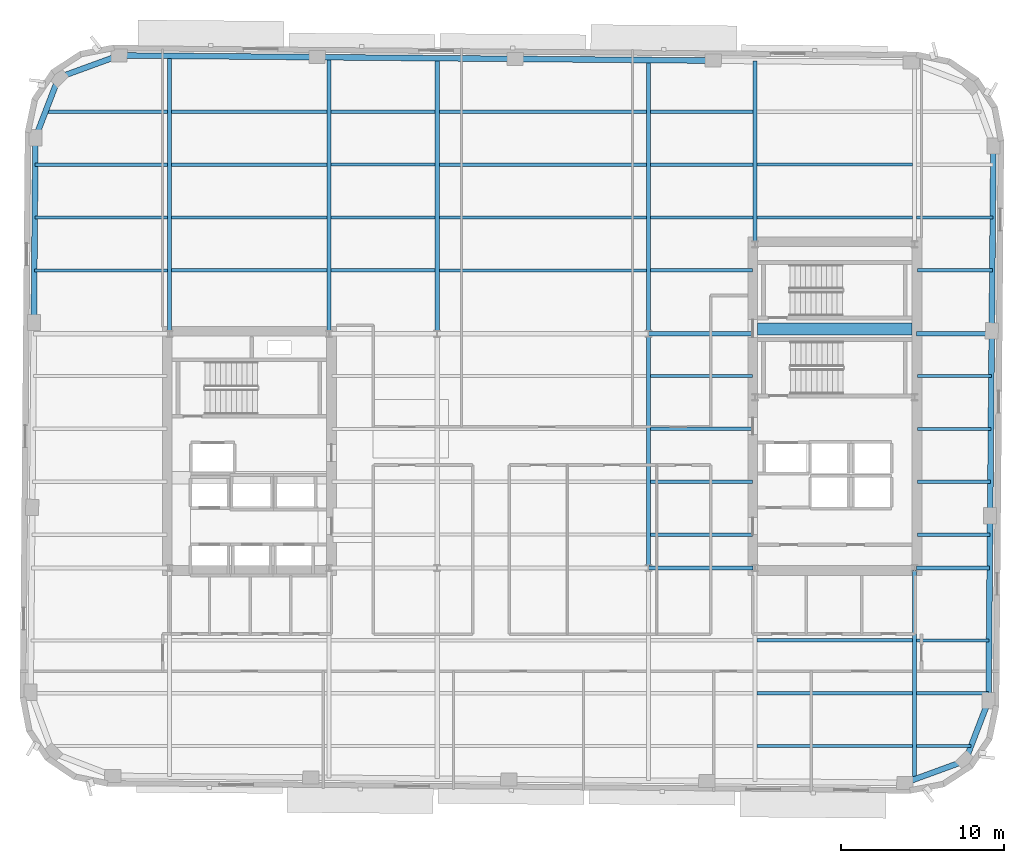
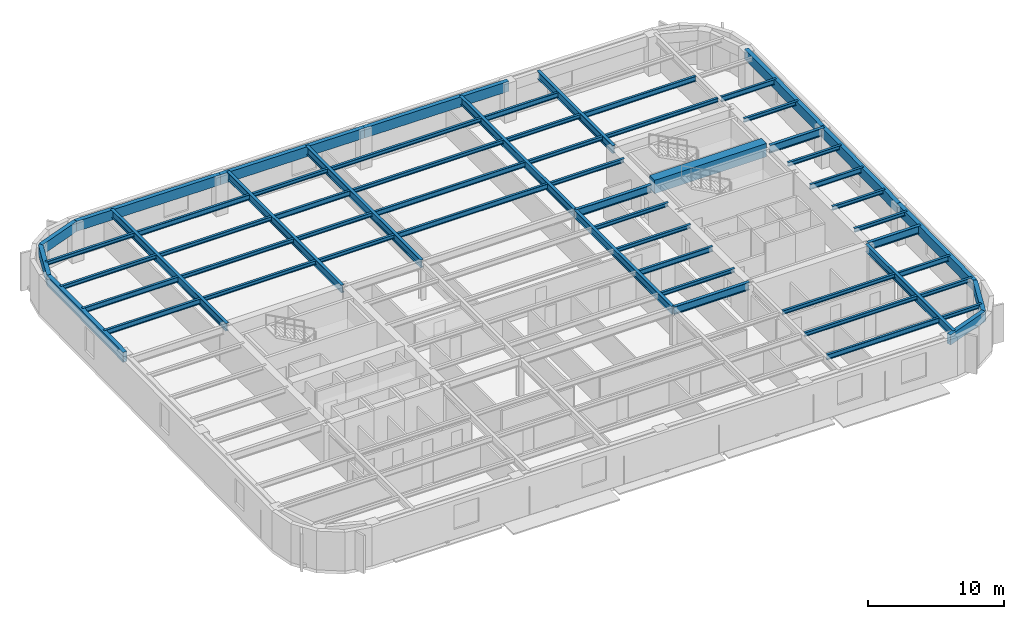
# One storey, part 2 of 12: 61 beams.
"""IFC4 building model written with IfcOpenShell, lengths in metres."""

from ifc_helpers import new_model, si_unit, direction, frame, origin, origin_2d, place, context, subcontext, project, spatial, rectangle, hollow_rectangle, i_section, extrude, material, material_profile, profile_set, type_object, element, save


model = new_model("IFC4")

# Units and contexts
model_context = context("Model", 3, precision=1e-05, world=origin(), true_north=direction((0.0, 1.0)))
body_context = subcontext(model_context, "Body", "Model", "MODEL_VIEW")
ifc_project = project(units=[si_unit("LENGTHUNIT", "METRE"), si_unit("AREAUNIT", "SQUARE_METRE"), si_unit("VOLUMEUNIT", "CUBIC_METRE"), si_unit("PLANEANGLEUNIT", "RADIAN"), si_unit("MASSUNIT", "GRAM", prefix="KILO")], contexts=[model_context])

# Site, building, storey
site_placement = place(None, origin())
site = spatial("IfcSite", under=ifc_project, at=site_placement, CompositionType="ELEMENT")
building_placement = place(site_placement, origin())
building = spatial("IfcBuilding", under=site, at=building_placement, Name="Kolvaren Arena Tower", CompositionType="ELEMENT")
storey_placement = place(building_placement, frame((0.0, 0.0, 199.699951171875)))
storey = spatial("IfcBuildingStorey", under=building, at=storey_placement, Name="L48", CompositionType="ELEMENT", Elevation=199.699951171875)

# Beams
ifc_material_1 = material(Name="Steel CSA G40.21 350W", Category="steel")
ifc_material_profile_1 = material_profile(ifc_material_1, i_section(OverallWidth=0.193115234375, OverallDepth=0.462890625, WebThickness=0.0107421875, FlangeThickness=0.0205078125, FilletRadius=0.012939453125, at=origin_2d()), Name="W460x113")
ifc_profile_set_1 = profile_set([ifc_material_profile_1], Name="Steel CSA G40.21 350W")
beam_type_1 = type_object("IfcBeamType", Name="BEAM-F2", PredefinedType="BEAM", material=ifc_profile_set_1)
beam_1_placement = place(storey_placement, frame((50.677490234375, 8.5, 3.24853515625), z_axis=(1.0, 0.0, 0.0), x_axis=(0.0, 1.0, 0.0)))
element("IfcBeam", 1, at=beam_1_placement, inside=storey, type_object=beam_type_1, Name="Composite Floor Beam (L48)", PredefinedType="BEAM", context=body_context, shape_type="SweptSolid", body=[
    extrude(i_section(OverallWidth=0.193115234375, OverallDepth=0.462890625, WebThickness=0.0107421875, FlangeThickness=0.0205078125, FilletRadius=0.012939453125, at=origin_2d()), origin(), (0.0, 0.0, 1.0), 9.544921875),
])
beam_2_placement = place(storey_placement, frame((60.4775390625, 15.0, 3.24853515625), z_axis=(1.0, 0.0, 0.0), x_axis=(0.0, 1.0, 0.0)))
element("IfcBeam", 2, at=beam_2_placement, inside=storey, type_object=beam_type_1, Name="Composite Floor Beam (L48)", PredefinedType="BEAM", context=body_context, shape_type="SweptSolid", body=[
    extrude(i_section(OverallWidth=0.193115234375, OverallDepth=0.462890625, WebThickness=0.0107421875, FlangeThickness=0.0205078125, FilletRadius=0.012939453125, at=origin_2d()), origin(), (0.0, 0.0, 1.0), 4.454833984375),
])
beam_3_placement = place(storey_placement, frame((44.12744140625, 24.75, 3.24853515625), z_axis=(1.0, 0.0, 0.0), x_axis=(0.0, 1.0, 0.0)))
element("IfcBeam", 3, at=beam_3_placement, inside=storey, type_object=beam_type_1, Name="Composite Floor Beam (L48)", PredefinedType="BEAM", context=body_context, shape_type="SweptSolid", body=[
    extrude(i_section(OverallWidth=0.193115234375, OverallDepth=0.462890625, WebThickness=0.0107421875, FlangeThickness=0.0205078125, FilletRadius=0.012939453125, at=origin_2d()), origin(), (0.0, 0.0, 1.0), 6.25244140625),
])
beam_4_placement = place(storey_placement, frame((60.52001953125, 28.0, 3.24853515625), z_axis=(1.0, 0.0, 0.0), x_axis=(0.0, 1.0, 0.0)))
element("IfcBeam", 4, at=beam_4_placement, inside=storey, type_object=beam_type_1, Name="Composite Floor Beam (L48)", PredefinedType="BEAM", context=body_context, shape_type="SweptSolid", body=[
    extrude(i_section(OverallWidth=0.193115234375, OverallDepth=0.462890625, WebThickness=0.0107421875, FlangeThickness=0.0205078125, FilletRadius=0.012939453125, at=origin_2d()), origin(), (0.0, 0.0, 1.0), 4.52587890625),
])
beam_5_placement = place(storey_placement, frame((6.228759765625, 37.75, 3.24853515625), z_axis=(1.0, 0.0, 0.0), x_axis=(0.0, 1.0, 0.0)))
element("IfcBeam", 5, at=beam_5_placement, inside=storey, type_object=beam_type_1, Name="Composite Floor Beam (L48)", PredefinedType="BEAM", context=body_context, shape_type="SweptSolid", body=[
    extrude(i_section(OverallWidth=0.193115234375, OverallDepth=0.462890625, WebThickness=0.0107421875, FlangeThickness=0.0205078125, FilletRadius=0.012939453125, at=origin_2d()), origin(), (0.0, 0.0, 1.0), 8.19384765625),
])
beam_6_placement = place(storey_placement, frame((31.12744140625, 37.75, 3.24853515625), z_axis=(1.0, 0.0, 0.0), x_axis=(0.0, 1.0, 0.0)))
element("IfcBeam", 6, at=beam_6_placement, inside=storey, type_object=beam_type_1, Name="Composite Floor Beam (L48)", PredefinedType="BEAM", context=body_context, shape_type="SweptSolid", body=[
    extrude(i_section(OverallWidth=0.193115234375, OverallDepth=0.462890625, WebThickness=0.0107421875, FlangeThickness=0.0205078125, FilletRadius=0.012939453125, at=origin_2d()), origin(), (0.0, 0.0, 1.0), 12.7451171875),
])
beam_7_placement = place(storey_placement, frame((6.257080078125, 41.0, 3.24853515625), z_axis=(1.0, 0.0, 0.0), x_axis=(0.0, 1.0, 0.0)))
element("IfcBeam", 7, at=beam_7_placement, inside=storey, type_object=beam_type_1, Name="Composite Floor Beam (L48)", PredefinedType="BEAM", context=body_context, shape_type="SweptSolid", body=[
    extrude(i_section(OverallWidth=0.193115234375, OverallDepth=0.462890625, WebThickness=0.0107421875, FlangeThickness=0.0205078125, FilletRadius=0.012939453125, at=origin_2d()), origin(), (0.0, 0.0, 1.0), 8.16552734375),
])
beam_8_placement = place(storey_placement, frame((31.12744140625, 41.0, 3.24853515625), z_axis=(1.0, 0.0, 0.0), x_axis=(0.0, 1.0, 0.0)))
element("IfcBeam", 8, at=beam_8_placement, inside=storey, type_object=beam_type_1, Name="Composite Floor Beam (L48)", PredefinedType="BEAM", context=body_context, shape_type="SweptSolid", body=[
    extrude(i_section(OverallWidth=0.193115234375, OverallDepth=0.462890625, WebThickness=0.0107421875, FlangeThickness=0.0205078125, FilletRadius=0.012939453125, at=origin_2d()), origin(), (0.0, 0.0, 1.0), 12.7451171875),
])
beam_9_placement = place(storey_placement, frame((60.4775390625, 41.0, 3.24853515625), z_axis=(1.0, 0.0, 0.0), x_axis=(0.0, 1.0, 0.0)))
element("IfcBeam", 9, at=beam_9_placement, inside=storey, type_object=beam_type_1, Name="Composite Floor Beam (L48)", PredefinedType="BEAM", context=body_context, shape_type="SweptSolid", body=[
    extrude(i_section(OverallWidth=0.193115234375, OverallDepth=0.462890625, WebThickness=0.0107421875, FlangeThickness=0.0205078125, FilletRadius=0.012939453125, at=origin_2d()), origin(), (0.0, 0.0, 1.0), 4.681884765625),
])
beam_10_placement = place(storey_placement, frame((24.4775390625, 44.25, 3.24853515625), z_axis=(1.0, 0.0, 0.0), x_axis=(0.0, 1.0, 0.0)))
element("IfcBeam", 10, at=beam_10_placement, inside=storey, type_object=beam_type_1, Name="Composite Floor Beam (L48)", PredefinedType="BEAM", context=body_context, shape_type="SweptSolid", body=[
    extrude(i_section(OverallWidth=0.193115234375, OverallDepth=0.462890625, WebThickness=0.0107421875, FlangeThickness=0.0205078125, FilletRadius=0.012939453125, at=origin_2d()), origin(), (0.0, 0.0, 1.0), 6.39501953125),
])
for number, where, z_axis, x_axis, name in (
    (11, (50.677490234375, 44.25, 3.24853515625), (1.0, 0.0, 0.0), (0.0, 1.0, 0.0), "Composite Floor Beam (L48)"),
    (12, (14.677490234375, 47.5, 3.24853515625), (1.0, 0.0, 0.0), (0.0, 1.0, 0.0), "Composite Floor Beam (L48)"),
):
    element("IfcBeam", number, at=place(storey_placement, frame(where, z_axis=z_axis, x_axis=x_axis)), inside=storey, type_object=beam_type_1, Name=name, PredefinedType="BEAM", context=body_context, shape_type="SweptSolid", body=[
        extrude(i_section(OverallWidth=0.193115234375, OverallDepth=0.462890625, WebThickness=0.0107421875, FlangeThickness=0.0205078125, FilletRadius=0.012939453125, at=origin_2d()), origin(), (0.0, 0.0, 1.0), 9.544921875),
    ])
beam_11_placement = place(storey_placement, frame((44.12744140625, 47.5, 3.24853515625), z_axis=(1.0, 0.0, 0.0), x_axis=(0.0, 1.0, 0.0)))
element("IfcBeam", 13, at=beam_11_placement, inside=storey, type_object=beam_type_1, Name="Composite Floor Beam (L48)", PredefinedType="BEAM", context=body_context, shape_type="SweptSolid", body=[
    extrude(i_section(OverallWidth=0.193115234375, OverallDepth=0.462890625, WebThickness=0.0107421875, FlangeThickness=0.0205078125, FilletRadius=0.012939453125, at=origin_2d()), origin(), (0.0, 0.0, 1.0), 6.295166015625),
])
ifc_material_2 = material(Name="Concrete 60 MPa", Category="concrete")
ifc_material_profile_2 = material_profile(ifc_material_2, rectangle(XDim=0.75, YDim=1.199951171875, at=origin_2d()), Name="RC-750x1200")
ifc_profile_set_2 = profile_set([ifc_material_profile_2], Name="Concrete 60 MPa")
beam_type_2 = type_object("IfcBeamType", Name="CB-CORE-2", PredefinedType="BEAM", material=ifc_profile_set_2)
beam_12_placement = place(storey_placement, frame((50.699951171875, 34.14990234375, 3.150146484375), z_axis=(1.0, 0.0, 0.0), x_axis=(0.0, 1.0, 0.0)))
element("IfcBeam", 14, at=beam_12_placement, inside=storey, type_object=beam_type_2, Name="East Core Coupling Beam (L48)", PredefinedType="BEAM", context=body_context, shape_type="SweptSolid", body=[
    extrude(rectangle(XDim=0.75, YDim=1.199951171875, at=origin_2d()), origin(), (0.0, 0.0, 1.0), 9.5),
])
ifc_material_profile_3 = material_profile(ifc_material_1, i_section(OverallWidth=0.2548828125, OverallDepth=0.695068359375, WebThickness=0.01708984375, FlangeThickness=0.02978515625, FilletRadius=0.01611328125, at=origin_2d()), Name="W690x217")
ifc_profile_set_3 = profile_set([ifc_material_profile_3], Name="Steel CSA G40.21 350W")
beam_type_3 = type_object("IfcBeamType", Name="GIRD-T2", PredefinedType="BEAM", material=ifc_profile_set_3)
beam_13_placement = place(storey_placement, frame((44.0, 19.449951171875, 3.132568359375), z_axis=(1.0, 0.0, 0.0), x_axis=(0.0, 1.0, 0.0)))
element("IfcBeam", 15, at=beam_13_placement, inside=storey, type_object=beam_type_3, Name="Primary Floor Girder (L48)", PredefinedType="BEAM", context=body_context, shape_type="SweptSolid", body=[
    extrude(i_section(OverallWidth=0.2548828125, OverallDepth=0.695068359375, WebThickness=0.01708984375, FlangeThickness=0.02978515625, FilletRadius=0.01611328125, at=origin_2d()), origin(), (0.0, 0.0, 1.0), 6.419921875),
])
beam_14_placement = place(storey_placement, frame((60.47998046875, 19.449951171875, 3.132568359375), z_axis=(1.0, 0.0, 0.0), x_axis=(0.0, 1.0, 0.0)))
element("IfcBeam", 16, at=beam_14_placement, inside=storey, type_object=beam_type_3, Name="Primary Floor Girder (L48)", PredefinedType="BEAM", context=body_context, shape_type="SweptSolid", body=[
    extrude(i_section(OverallWidth=0.2548828125, OverallDepth=0.695068359375, WebThickness=0.01708984375, FlangeThickness=0.02978515625, FilletRadius=0.01611328125, at=origin_2d()), origin(), (0.0, 0.0, 1.0), 4.4912109375),
])
beam_15_placement = place(storey_placement, frame((44.0, 33.85009765625, 3.132568359375), z_axis=(1.0, 0.0, 0.0), x_axis=(0.0, 1.0, 0.0)))
element("IfcBeam", 17, at=beam_15_placement, inside=storey, type_object=beam_type_3, Name="Primary Floor Girder (L48)", PredefinedType="BEAM", context=body_context, shape_type="SweptSolid", body=[
    extrude(i_section(OverallWidth=0.2548828125, OverallDepth=0.695068359375, WebThickness=0.01708984375, FlangeThickness=0.02978515625, FilletRadius=0.01611328125, at=origin_2d()), origin(), (0.0, 0.0, 1.0), 6.419921875),
])
beam_16_placement = place(storey_placement, frame((60.47998046875, 33.85009765625, 3.132568359375), z_axis=(1.0, 0.0, 0.0), x_axis=(0.0, 1.0, 0.0)))
element("IfcBeam", 18, at=beam_16_placement, inside=storey, type_object=beam_type_3, Name="Primary Floor Girder (L48)", PredefinedType="BEAM", context=body_context, shape_type="SweptSolid", body=[
    extrude(i_section(OverallWidth=0.2548828125, OverallDepth=0.695068359375, WebThickness=0.01708984375, FlangeThickness=0.02978515625, FilletRadius=0.01611328125, at=origin_2d()), origin(), (0.0, 0.0, 1.0), 4.616943359375),
])
beam_17_placement = place(storey_placement, frame((14.550048828125, 33.97998046875, 3.132568359375), z_axis=(0.0, 1.0, 0.0), x_axis=(-1.0, 0.0, 0.0)))
element("IfcBeam", 19, at=beam_17_placement, inside=storey, type_object=beam_type_3, Name="Primary Floor Girder (L48)", PredefinedType="BEAM", context=body_context, shape_type="SweptSolid", body=[
    extrude(i_section(OverallWidth=0.2548828125, OverallDepth=0.695068359375, WebThickness=0.01708984375, FlangeThickness=0.02978515625, FilletRadius=0.01611328125, at=origin_2d()), origin(), (0.0, 0.0, 1.0), 16.95458984375),
])
beam_18_placement = place(storey_placement, frame((24.35009765625, 33.97998046875, 3.132568359375), z_axis=(0.0, 1.0, 0.0), x_axis=(-1.0, 0.0, 0.0)))
element("IfcBeam", 20, at=beam_18_placement, inside=storey, type_object=beam_type_3, Name="Primary Floor Girder (L48)", PredefinedType="BEAM", context=body_context, shape_type="SweptSolid", body=[
    extrude(i_section(OverallWidth=0.2548828125, OverallDepth=0.695068359375, WebThickness=0.01708984375, FlangeThickness=0.02978515625, FilletRadius=0.01611328125, at=origin_2d()), origin(), (0.0, 0.0, 1.0), 16.869140625),
])
beam_19_placement = place(storey_placement, frame((31.0, 33.85009765625, 3.132568359375), z_axis=(0.0, 1.0, 0.0), x_axis=(-1.0, 0.0, 0.0)))
element("IfcBeam", 21, at=beam_19_placement, inside=storey, type_object=beam_type_3, Name="Primary Floor Girder (L48)", PredefinedType="BEAM", context=body_context, shape_type="SweptSolid", body=[
    extrude(i_section(OverallWidth=0.2548828125, OverallDepth=0.695068359375, WebThickness=0.01708984375, FlangeThickness=0.02978515625, FilletRadius=0.01611328125, at=origin_2d()), origin(), (0.0, 0.0, 1.0), 16.94091796875),
])
beam_20_placement = place(storey_placement, frame((44.0, 19.449951171875, 3.132568359375), z_axis=(0.0, 1.0, 0.0), x_axis=(-1.0, 0.0, 0.0)))
element("IfcBeam", 22, at=beam_20_placement, inside=storey, type_object=beam_type_3, Name="Primary Floor Girder (L48)", PredefinedType="BEAM", context=body_context, shape_type="SweptSolid", body=[
    extrude(i_section(OverallWidth=0.2548828125, OverallDepth=0.695068359375, WebThickness=0.01708984375, FlangeThickness=0.02978515625, FilletRadius=0.01611328125, at=origin_2d()), origin(), (0.0, 0.0, 1.0), 14.400146484375),
])
beam_21_placement = place(storey_placement, frame((44.0, 33.85009765625, 3.132568359375), z_axis=(0.0, 1.0, 0.0), x_axis=(-1.0, 0.0, 0.0)))
element("IfcBeam", 23, at=beam_21_placement, inside=storey, type_object=beam_type_3, Name="Primary Floor Girder (L48)", PredefinedType="BEAM", context=body_context, shape_type="SweptSolid", body=[
    extrude(i_section(OverallWidth=0.2548828125, OverallDepth=0.695068359375, WebThickness=0.01708984375, FlangeThickness=0.02978515625, FilletRadius=0.01611328125, at=origin_2d()), origin(), (0.0, 0.0, 1.0), 16.827392578125),
])
beam_22_placement = place(storey_placement, frame((50.550048828125, 39.47998046875, 3.132568359375), z_axis=(0.0, 1.0, 0.0), x_axis=(-1.0, 0.0, 0.0)))
element("IfcBeam", 24, at=beam_22_placement, inside=storey, type_object=beam_type_3, Name="Primary Floor Girder (L48)", PredefinedType="BEAM", context=body_context, shape_type="SweptSolid", body=[
    extrude(i_section(OverallWidth=0.2548828125, OverallDepth=0.695068359375, WebThickness=0.01708984375, FlangeThickness=0.02978515625, FilletRadius=0.01611328125, at=origin_2d()), origin(), (0.0, 0.0, 1.0), 11.140380859375),
])
beam_23_placement = place(storey_placement, frame((60.35009765625, 6.455322265625, 3.132568359375), z_axis=(0.0, 1.0, 0.0), x_axis=(-1.0, 0.0, 0.0)))
element("IfcBeam", 25, at=beam_23_placement, inside=storey, type_object=beam_type_3, Name="Primary Floor Girder (L48)", PredefinedType="BEAM", context=body_context, shape_type="SweptSolid", body=[
    extrude(i_section(OverallWidth=0.2548828125, OverallDepth=0.695068359375, WebThickness=0.01708984375, FlangeThickness=0.02978515625, FilletRadius=0.01611328125, at=origin_2d()), origin(), (0.0, 0.0, 1.0), 12.86474609375),
])
ifc_material_profile_4 = material_profile(ifc_material_1, i_section(OverallWidth=0.202880859375, OverallDepth=0.346923828125, WebThickness=0.0078125, FlangeThickness=0.013427734375, FilletRadius=0.010986328125, at=origin_2d()), Name="W360x64")
ifc_profile_set_4 = profile_set([ifc_material_profile_4], Name="Steel CSA G40.21 350W")
beam_type_4 = type_object("IfcBeamType", Name="JOIST-01", PredefinedType="JOIST", material=ifc_profile_set_4)
beam_24_placement = place(storey_placement, frame((60.4775390625, 8.5, 3.306640625), z_axis=(1.0, 0.0, 0.0), x_axis=(0.0, 1.0, 0.0)))
element("IfcBeam", 26, at=beam_24_placement, inside=storey, type_object=beam_type_4, Name="Composite Floor Joist (L48)", PredefinedType="JOIST", context=body_context, shape_type="SweptSolid", body=[
    extrude(i_section(OverallWidth=0.202880859375, OverallDepth=0.346923828125, WebThickness=0.0078125, FlangeThickness=0.013427734375, FilletRadius=0.010986328125, at=origin_2d()), origin(), (0.0, 0.0, 1.0), 3.3466796875),
])
beam_25_placement = place(storey_placement, frame((50.677490234375, 11.75, 3.306640625), z_axis=(1.0, 0.0, 0.0), x_axis=(0.0, 1.0, 0.0)))
element("IfcBeam", 27, at=beam_25_placement, inside=storey, type_object=beam_type_4, Name="Composite Floor Joist (L48)", PredefinedType="JOIST", context=body_context, shape_type="SweptSolid", body=[
    extrude(i_section(OverallWidth=0.202880859375, OverallDepth=0.346923828125, WebThickness=0.0078125, FlangeThickness=0.013427734375, FilletRadius=0.010986328125, at=origin_2d()), origin(), (0.0, 0.0, 1.0), 9.544921875),
])
beam_26_placement = place(storey_placement, frame((60.4775390625, 11.75, 3.306640625), z_axis=(1.0, 0.0, 0.0), x_axis=(0.0, 1.0, 0.0)))
element("IfcBeam", 28, at=beam_26_placement, inside=storey, type_object=beam_type_4, Name="Composite Floor Joist (L48)", PredefinedType="JOIST", context=body_context, shape_type="SweptSolid", body=[
    extrude(i_section(OverallWidth=0.202880859375, OverallDepth=0.346923828125, WebThickness=0.0078125, FlangeThickness=0.013427734375, FilletRadius=0.010986328125, at=origin_2d()), origin(), (0.0, 0.0, 1.0), 4.426513671875),
])
beam_27_placement = place(storey_placement, frame((50.677490234375, 15.0, 3.306640625), z_axis=(1.0, 0.0, 0.0), x_axis=(0.0, 1.0, 0.0)))
element("IfcBeam", 29, at=beam_27_placement, inside=storey, type_object=beam_type_4, Name="Composite Floor Joist (L48)", PredefinedType="JOIST", context=body_context, shape_type="SweptSolid", body=[
    extrude(i_section(OverallWidth=0.202880859375, OverallDepth=0.346923828125, WebThickness=0.0078125, FlangeThickness=0.013427734375, FilletRadius=0.010986328125, at=origin_2d()), origin(), (0.0, 0.0, 1.0), 9.544921875),
])
beam_28_placement = place(storey_placement, frame((44.12744140625, 21.5, 3.306640625), z_axis=(1.0, 0.0, 0.0), x_axis=(0.0, 1.0, 0.0)))
element("IfcBeam", 30, at=beam_28_placement, inside=storey, type_object=beam_type_4, Name="Composite Floor Joist (L48)", PredefinedType="JOIST", context=body_context, shape_type="SweptSolid", body=[
    extrude(i_section(OverallWidth=0.202880859375, OverallDepth=0.346923828125, WebThickness=0.0078125, FlangeThickness=0.013427734375, FilletRadius=0.010986328125, at=origin_2d()), origin(), (0.0, 0.0, 1.0), 6.25244140625),
])
beam_29_placement = place(storey_placement, frame((60.52001953125, 21.5, 3.306640625), z_axis=(1.0, 0.0, 0.0), x_axis=(0.0, 1.0, 0.0)))
element("IfcBeam", 31, at=beam_29_placement, inside=storey, type_object=beam_type_4, Name="Composite Floor Joist (L48)", PredefinedType="JOIST", context=body_context, shape_type="SweptSolid", body=[
    extrude(i_section(OverallWidth=0.202880859375, OverallDepth=0.346923828125, WebThickness=0.0078125, FlangeThickness=0.013427734375, FilletRadius=0.010986328125, at=origin_2d()), origin(), (0.0, 0.0, 1.0), 4.46923828125),
])
beam_30_placement = place(storey_placement, frame((60.52001953125, 24.75, 3.306640625), z_axis=(1.0, 0.0, 0.0), x_axis=(0.0, 1.0, 0.0)))
element("IfcBeam", 32, at=beam_30_placement, inside=storey, type_object=beam_type_4, Name="Composite Floor Joist (L48)", PredefinedType="JOIST", context=body_context, shape_type="SweptSolid", body=[
    extrude(i_section(OverallWidth=0.202880859375, OverallDepth=0.346923828125, WebThickness=0.0078125, FlangeThickness=0.013427734375, FilletRadius=0.010986328125, at=origin_2d()), origin(), (0.0, 0.0, 1.0), 4.49755859375),
])
for number, where, z_axis, x_axis, name in (
    (33, (44.12744140625, 28.0, 3.306640625), (1.0, 0.0, 0.0), (0.0, 1.0, 0.0), "Composite Floor Joist (L48)"),
    (34, (44.12744140625, 31.25, 3.306640625), (1.0, 0.0, 0.0), (0.0, 1.0, 0.0), "Composite Floor Joist (L48)"),
):
    element("IfcBeam", number, at=place(storey_placement, frame(where, z_axis=z_axis, x_axis=x_axis)), inside=storey, type_object=beam_type_4, Name=name, PredefinedType="JOIST", context=body_context, shape_type="SweptSolid", body=[
        extrude(i_section(OverallWidth=0.202880859375, OverallDepth=0.346923828125, WebThickness=0.0078125, FlangeThickness=0.013427734375, FilletRadius=0.010986328125, at=origin_2d()), origin(), (0.0, 0.0, 1.0), 6.25244140625),
    ])
beam_31_placement = place(storey_placement, frame((60.52001953125, 31.25, 3.306640625), z_axis=(1.0, 0.0, 0.0), x_axis=(0.0, 1.0, 0.0)))
element("IfcBeam", 35, at=beam_31_placement, inside=storey, type_object=beam_type_4, Name="Composite Floor Joist (L48)", PredefinedType="JOIST", context=body_context, shape_type="SweptSolid", body=[
    extrude(i_section(OverallWidth=0.202880859375, OverallDepth=0.346923828125, WebThickness=0.0078125, FlangeThickness=0.013427734375, FilletRadius=0.010986328125, at=origin_2d()), origin(), (0.0, 0.0, 1.0), 4.55419921875),
])
beam_32_placement = place(storey_placement, frame((14.677490234375, 37.75, 3.306640625), z_axis=(1.0, 0.0, 0.0), x_axis=(0.0, 1.0, 0.0)))
element("IfcBeam", 36, at=beam_32_placement, inside=storey, type_object=beam_type_4, Name="Composite Floor Joist (L48)", PredefinedType="JOIST", context=body_context, shape_type="SweptSolid", body=[
    extrude(i_section(OverallWidth=0.202880859375, OverallDepth=0.346923828125, WebThickness=0.0078125, FlangeThickness=0.013427734375, FilletRadius=0.010986328125, at=origin_2d()), origin(), (0.0, 0.0, 1.0), 9.544921875),
])
beam_33_placement = place(storey_placement, frame((24.4775390625, 37.75, 3.306640625), z_axis=(1.0, 0.0, 0.0), x_axis=(0.0, 1.0, 0.0)))
element("IfcBeam", 37, at=beam_33_placement, inside=storey, type_object=beam_type_4, Name="Composite Floor Joist (L48)", PredefinedType="JOIST", context=body_context, shape_type="SweptSolid", body=[
    extrude(i_section(OverallWidth=0.202880859375, OverallDepth=0.346923828125, WebThickness=0.0078125, FlangeThickness=0.013427734375, FilletRadius=0.010986328125, at=origin_2d()), origin(), (0.0, 0.0, 1.0), 6.39501953125),
])
beam_34_placement = place(storey_placement, frame((44.12744140625, 37.75, 3.306640625), z_axis=(1.0, 0.0, 0.0), x_axis=(0.0, 1.0, 0.0)))
element("IfcBeam", 38, at=beam_34_placement, inside=storey, type_object=beam_type_4, Name="Composite Floor Joist (L48)", PredefinedType="JOIST", context=body_context, shape_type="SweptSolid", body=[
    extrude(i_section(OverallWidth=0.202880859375, OverallDepth=0.346923828125, WebThickness=0.0078125, FlangeThickness=0.013427734375, FilletRadius=0.010986328125, at=origin_2d()), origin(), (0.0, 0.0, 1.0), 6.25244140625),
])
beam_35_placement = place(storey_placement, frame((60.52001953125, 37.75, 3.306640625), z_axis=(1.0, 0.0, 0.0), x_axis=(0.0, 1.0, 0.0)))
element("IfcBeam", 39, at=beam_35_placement, inside=storey, type_object=beam_type_4, Name="Composite Floor Joist (L48)", PredefinedType="JOIST", context=body_context, shape_type="SweptSolid", body=[
    extrude(i_section(OverallWidth=0.202880859375, OverallDepth=0.346923828125, WebThickness=0.0078125, FlangeThickness=0.013427734375, FilletRadius=0.010986328125, at=origin_2d()), origin(), (0.0, 0.0, 1.0), 4.611083984375),
])
beam_36_placement = place(storey_placement, frame((14.677490234375, 41.0, 3.306640625), z_axis=(1.0, 0.0, 0.0), x_axis=(0.0, 1.0, 0.0)))
element("IfcBeam", 40, at=beam_36_placement, inside=storey, type_object=beam_type_4, Name="Composite Floor Joist (L48)", PredefinedType="JOIST", context=body_context, shape_type="SweptSolid", body=[
    extrude(i_section(OverallWidth=0.202880859375, OverallDepth=0.346923828125, WebThickness=0.0078125, FlangeThickness=0.013427734375, FilletRadius=0.010986328125, at=origin_2d()), origin(), (0.0, 0.0, 1.0), 9.544921875),
])
beam_37_placement = place(storey_placement, frame((24.4775390625, 41.0, 3.306640625), z_axis=(1.0, 0.0, 0.0), x_axis=(0.0, 1.0, 0.0)))
element("IfcBeam", 41, at=beam_37_placement, inside=storey, type_object=beam_type_4, Name="Composite Floor Joist (L48)", PredefinedType="JOIST", context=body_context, shape_type="SweptSolid", body=[
    extrude(i_section(OverallWidth=0.202880859375, OverallDepth=0.346923828125, WebThickness=0.0078125, FlangeThickness=0.013427734375, FilletRadius=0.010986328125, at=origin_2d()), origin(), (0.0, 0.0, 1.0), 6.39501953125),
])
beam_38_placement = place(storey_placement, frame((44.12744140625, 41.0, 3.306640625), z_axis=(1.0, 0.0, 0.0), x_axis=(0.0, 1.0, 0.0)))
element("IfcBeam", 42, at=beam_38_placement, inside=storey, type_object=beam_type_4, Name="Composite Floor Joist (L48)", PredefinedType="JOIST", context=body_context, shape_type="SweptSolid", body=[
    extrude(i_section(OverallWidth=0.202880859375, OverallDepth=0.346923828125, WebThickness=0.0078125, FlangeThickness=0.013427734375, FilletRadius=0.010986328125, at=origin_2d()), origin(), (0.0, 0.0, 1.0), 6.295166015625),
])
beam_39_placement = place(storey_placement, frame((50.677490234375, 41.0, 3.306640625), z_axis=(1.0, 0.0, 0.0), x_axis=(0.0, 1.0, 0.0)))
element("IfcBeam", 43, at=beam_39_placement, inside=storey, type_object=beam_type_4, Name="Composite Floor Joist (L48)", PredefinedType="JOIST", context=body_context, shape_type="SweptSolid", body=[
    extrude(i_section(OverallWidth=0.202880859375, OverallDepth=0.346923828125, WebThickness=0.0078125, FlangeThickness=0.013427734375, FilletRadius=0.010986328125, at=origin_2d()), origin(), (0.0, 0.0, 1.0), 9.544921875),
])
beam_40_placement = place(storey_placement, frame((6.285400390625, 44.25, 3.306640625), z_axis=(1.0, 0.0, 0.0), x_axis=(0.0, 1.0, 0.0)))
element("IfcBeam", 44, at=beam_40_placement, inside=storey, type_object=beam_type_4, Name="Composite Floor Joist (L48)", PredefinedType="JOIST", context=body_context, shape_type="SweptSolid", body=[
    extrude(i_section(OverallWidth=0.202880859375, OverallDepth=0.346923828125, WebThickness=0.0078125, FlangeThickness=0.013427734375, FilletRadius=0.010986328125, at=origin_2d()), origin(), (0.0, 0.0, 1.0), 8.13720703125),
])
beam_41_placement = place(storey_placement, frame((14.677490234375, 44.25, 3.306640625), z_axis=(1.0, 0.0, 0.0), x_axis=(0.0, 1.0, 0.0)))
element("IfcBeam", 45, at=beam_41_placement, inside=storey, type_object=beam_type_4, Name="Composite Floor Joist (L48)", PredefinedType="JOIST", context=body_context, shape_type="SweptSolid", body=[
    extrude(i_section(OverallWidth=0.202880859375, OverallDepth=0.346923828125, WebThickness=0.0078125, FlangeThickness=0.013427734375, FilletRadius=0.010986328125, at=origin_2d()), origin(), (0.0, 0.0, 1.0), 9.544921875),
])
beam_42_placement = place(storey_placement, frame((31.12744140625, 44.25, 3.306640625), z_axis=(1.0, 0.0, 0.0), x_axis=(0.0, 1.0, 0.0)))
element("IfcBeam", 46, at=beam_42_placement, inside=storey, type_object=beam_type_4, Name="Composite Floor Joist (L48)", PredefinedType="JOIST", context=body_context, shape_type="SweptSolid", body=[
    extrude(i_section(OverallWidth=0.202880859375, OverallDepth=0.346923828125, WebThickness=0.0078125, FlangeThickness=0.013427734375, FilletRadius=0.010986328125, at=origin_2d()), origin(), (0.0, 0.0, 1.0), 12.7451171875),
])
beam_43_placement = place(storey_placement, frame((44.12744140625, 44.25, 3.306640625), z_axis=(1.0, 0.0, 0.0), x_axis=(0.0, 1.0, 0.0)))
element("IfcBeam", 47, at=beam_43_placement, inside=storey, type_object=beam_type_4, Name="Composite Floor Joist (L48)", PredefinedType="JOIST", context=body_context, shape_type="SweptSolid", body=[
    extrude(i_section(OverallWidth=0.202880859375, OverallDepth=0.346923828125, WebThickness=0.0078125, FlangeThickness=0.013427734375, FilletRadius=0.010986328125, at=origin_2d()), origin(), (0.0, 0.0, 1.0), 6.295166015625),
])
beam_44_placement = place(storey_placement, frame((6.913818359375, 47.5, 3.306640625), z_axis=(1.0, 0.0, 0.0), x_axis=(0.0, 1.0, 0.0)))
element("IfcBeam", 48, at=beam_44_placement, inside=storey, type_object=beam_type_4, Name="Composite Floor Joist (L48)", PredefinedType="JOIST", context=body_context, shape_type="SweptSolid", body=[
    extrude(i_section(OverallWidth=0.202880859375, OverallDepth=0.346923828125, WebThickness=0.0078125, FlangeThickness=0.013427734375, FilletRadius=0.010986328125, at=origin_2d()), origin(), (0.0, 0.0, 1.0), 7.5087890625),
])
beam_45_placement = place(storey_placement, frame((24.4775390625, 47.5, 3.306640625), z_axis=(1.0, 0.0, 0.0), x_axis=(0.0, 1.0, 0.0)))
element("IfcBeam", 49, at=beam_45_placement, inside=storey, type_object=beam_type_4, Name="Composite Floor Joist (L48)", PredefinedType="JOIST", context=body_context, shape_type="SweptSolid", body=[
    extrude(i_section(OverallWidth=0.202880859375, OverallDepth=0.346923828125, WebThickness=0.0078125, FlangeThickness=0.013427734375, FilletRadius=0.010986328125, at=origin_2d()), origin(), (0.0, 0.0, 1.0), 6.39501953125),
])
beam_46_placement = place(storey_placement, frame((31.12744140625, 47.5, 3.306640625), z_axis=(1.0, 0.0, 0.0), x_axis=(0.0, 1.0, 0.0)))
element("IfcBeam", 50, at=beam_46_placement, inside=storey, type_object=beam_type_4, Name="Composite Floor Joist (L48)", PredefinedType="JOIST", context=body_context, shape_type="SweptSolid", body=[
    extrude(i_section(OverallWidth=0.202880859375, OverallDepth=0.346923828125, WebThickness=0.0078125, FlangeThickness=0.013427734375, FilletRadius=0.010986328125, at=origin_2d()), origin(), (0.0, 0.0, 1.0), 12.7451171875),
])
ifc_material_3 = material(Name="Steel CSA G40.21 350WT", Category="steel")
ifc_material_profile_5 = material_profile(ifc_material_3, hollow_rectangle(XDim=0.35009765625, YDim=0.89990234375, WallThickness=0.02001953125, at=origin_2d()), Name="HSS 900x350x20")
ifc_profile_set_5 = profile_set([ifc_material_profile_5], Name="Steel CSA G40.21 350WT")
beam_type_5 = type_object("IfcBeamType", Name="SPAND-01", PredefinedType="SPANDREL", material=ifc_profile_set_5)
for number, where, z_axis, x_axis, name in (
    (51, (59.755859375, 6.23828125, 3.030029296875), (0.939313819882, 0.343059102458, 0.0), (-0.343059102458, 0.939313819882, 0.0), "Perimeter Spandrel Beam (L48)"),
    (52, (63.4765625, 7.59716796875, 3.030029296875), (0.359383792094, 0.933189846698, 0.0), (-0.933189846698, 0.359383792094, 0.0), "Perimeter Spandrel Beam (L48)"),
):
    element("IfcBeam", number, at=place(storey_placement, frame(where, z_axis=z_axis, x_axis=x_axis)), inside=storey, type_object=beam_type_5, Name=name, PredefinedType="SPANDREL", context=body_context, shape_type="SweptSolid", body=[
        extrude(hollow_rectangle(XDim=0.35009765625, YDim=0.89990234375, WallThickness=0.02001953125, at=origin_2d()), origin(), (0.0, 0.0, 1.0), 3.961181640625),
    ])
for number, where, z_axis, x_axis, name in (
    (53, (64.900146484375, 11.293701171875, 3.030029296875), (0.008720348885, 0.999961977035, 0.0), (-0.999961977035, 0.008720348885, 0.0), "Perimeter Spandrel Beam (L48)"),
    (54, (64.999267578125, 22.659912109375, 3.030029296875), (0.008720348885, 0.999961977035, 0.0), (-0.999961977035, 0.008720348885, 0.0), "Perimeter Spandrel Beam (L48)"),
    (55, (65.098388671875, 34.026123046875, 3.030029296875), (0.008741825937, 0.99996178951, 0.0), (-0.99996178951, 0.008741825937, 0.0), "Perimeter Spandrel Beam (L48)"),
):
    element("IfcBeam", number, at=place(storey_placement, frame(where, z_axis=z_axis, x_axis=x_axis)), inside=storey, type_object=beam_type_5, Name=name, PredefinedType="SPANDREL", context=body_context, shape_type="SweptSolid", body=[
        extrude(hollow_rectangle(XDim=0.35009765625, YDim=0.89990234375, WallThickness=0.02001953125, at=origin_2d()), origin(), (0.0, 0.0, 1.0), 11.36669921875),
    ])
beam_47_placement = place(storey_placement, frame((47.9677734375, 50.642822265625, 3.030029296875), z_axis=(-0.999961779919, 0.008742922896, 0.0), x_axis=(-0.008742922896, -0.999961779919, 0.0)))
element("IfcBeam", 56, at=beam_47_placement, inside=storey, type_object=beam_type_5, Name="Perimeter Spandrel Beam (L48)", PredefinedType="SPANDREL", context=body_context, shape_type="SweptSolid", body=[
    extrude(hollow_rectangle(XDim=0.35009765625, YDim=0.89990234375, WallThickness=0.02001953125, at=origin_2d()), origin(), (0.0, 0.0, 1.0), 12.175048828125),
])
beam_48_placement = place(storey_placement, frame((35.793212890625, 50.749267578125, 3.030029296875), z_axis=(-0.999961953504, 0.008723046761, 0.0), x_axis=(-0.008723046761, -0.999961953504, 0.0)))
element("IfcBeam", 57, at=beam_48_placement, inside=storey, type_object=beam_type_5, Name="Perimeter Spandrel Beam (L48)", PredefinedType="SPANDREL", context=body_context, shape_type="SweptSolid", body=[
    extrude(hollow_rectangle(XDim=0.35009765625, YDim=0.89990234375, WallThickness=0.02001953125, at=origin_2d()), origin(), (0.0, 0.0, 1.0), 12.1748046875),
])
beam_49_placement = place(storey_placement, frame((23.618896484375, 50.85546875, 3.030029296875), z_axis=(-0.999961956555, 0.008722696942, 0.0), x_axis=(-0.008722696942, -0.999961956555, 0.0)))
element("IfcBeam", 58, at=beam_49_placement, inside=storey, type_object=beam_type_5, Name="Perimeter Spandrel Beam (L48)", PredefinedType="SPANDREL", context=body_context, shape_type="SweptSolid", body=[
    extrude(hollow_rectangle(XDim=0.35009765625, YDim=0.89990234375, WallThickness=0.02001953125, at=origin_2d()), origin(), (0.0, 0.0, 1.0), 12.17529296875),
])
for number, where, z_axis, x_axis, name in (
    (59, (11.444091796875, 50.961669921875, 3.030029296875), (-0.939313819882, -0.343059102458, 0.0), (0.343059102458, -0.939313819882, 0.0), "Perimeter Spandrel Beam (L48)"),
    (60, (7.723388671875, 49.602783203125, 3.030029296875), (-0.359383792094, -0.933189846698, 0.0), (0.933189846698, -0.359383792094, 0.0), "Perimeter Spandrel Beam (L48)"),
):
    element("IfcBeam", number, at=place(storey_placement, frame(where, z_axis=z_axis, x_axis=x_axis)), inside=storey, type_object=beam_type_5, Name=name, PredefinedType="SPANDREL", context=body_context, shape_type="SweptSolid", body=[
        extrude(hollow_rectangle(XDim=0.35009765625, YDim=0.89990234375, WallThickness=0.02001953125, at=origin_2d()), origin(), (0.0, 0.0, 1.0), 3.961181640625),
    ])
beam_50_placement = place(storey_placement, frame((6.2998046875, 45.90625, 3.030029296875), z_axis=(-0.008720348885, -0.999961977035, 0.0), x_axis=(0.999961977035, -0.008720348885, 0.0)))
element("IfcBeam", 61, at=beam_50_placement, inside=storey, type_object=beam_type_5, Name="Perimeter Spandrel Beam (L48)", PredefinedType="SPANDREL", context=body_context, shape_type="SweptSolid", body=[
    extrude(hollow_rectangle(XDim=0.35009765625, YDim=0.89990234375, WallThickness=0.02001953125, at=origin_2d()), origin(), (0.0, 0.0, 1.0), 11.36669921875),
])

save(model, "model.ifc")
